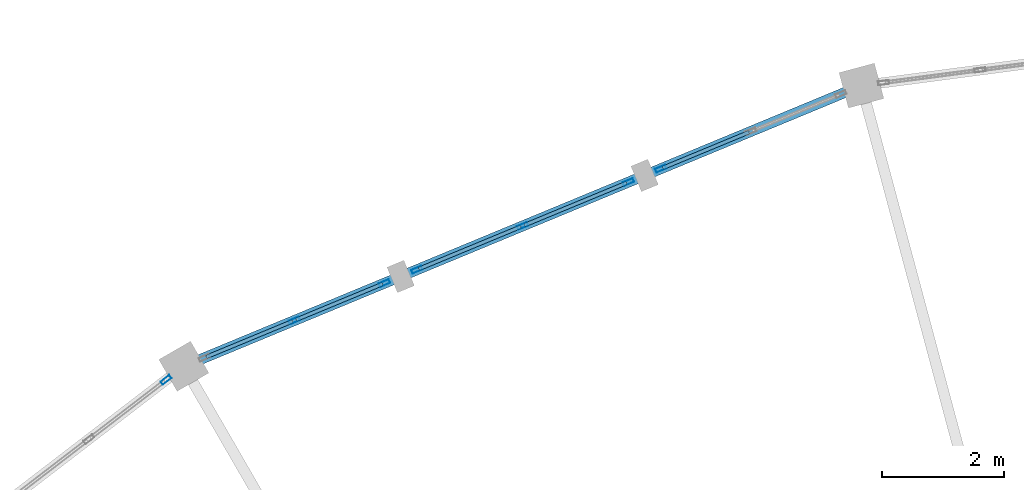
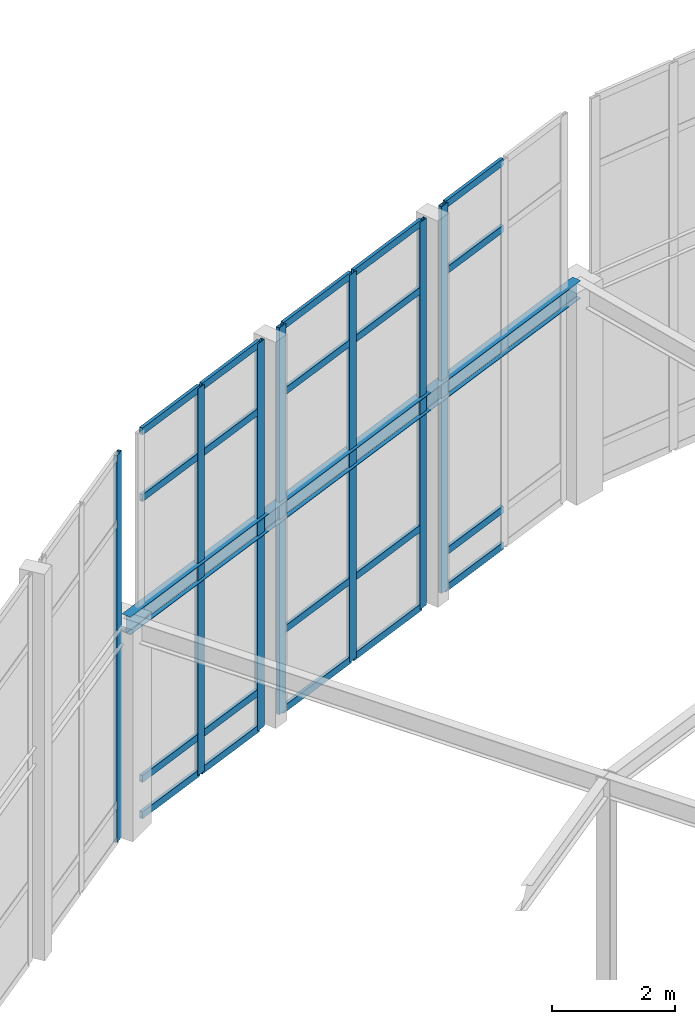
# One storey, part 47 of 93: 27 members, 1 beam, 4 elements without a shape of their own.
"""IFC4 building model written with IfcOpenShell, lengths in metres."""

from ifc_helpers import new_model, si_unit, direction, frame, origin, origin_2d, place, context, subcontext, project, spatial, hollow_rectangle, i_section, extrude, material, material_profile, profile_set, type_object, element, aggregate, save


model = new_model("IFC4")

# Units and contexts
model_context = context("Model", 3, precision=1e-05, world=origin(), true_north=direction((0.0, 1.0)))
body_context = subcontext(model_context, "Body", "Model", "MODEL_VIEW")
ifc_project = project(units=[si_unit("LENGTHUNIT", "METRE"), si_unit("AREAUNIT", "SQUARE_METRE"), si_unit("VOLUMEUNIT", "CUBIC_METRE"), si_unit("PLANEANGLEUNIT", "RADIAN"), si_unit("MASSUNIT", "GRAM", prefix="KILO")], contexts=[model_context])

# Site, building, storey
site_placement = place(None, origin())
site = spatial("IfcSite", under=ifc_project, at=site_placement, CompositionType="ELEMENT")
building_placement = place(site_placement, origin())
building = spatial("IfcBuilding", under=site, at=building_placement, Name="Vondelvale Polytechnic", CompositionType="ELEMENT")
storey_placement = place(building_placement, frame((0.0, 0.0, 18.0)))
storey = spatial("IfcBuildingStorey", under=building, at=storey_placement, Name="L04", CompositionType="ELEMENT", Elevation=18.0)

# Beam
ifc_material_1 = material(Name="Steel 300PLUS (fy = 300 MPa)", Category="steel")
ifc_material_profile_1 = material_profile(ifc_material_1, i_section(OverallWidth=0.1708984375, OverallDepth=0.35205078125, WebThickness=0.0068359375, FlangeThickness=0.009765625, FilletRadius=0.011474609375, at=origin_2d()), Name="360UB44.7")
ifc_profile_set_1 = profile_set([ifc_material_profile_1], Name="Steel 300PLUS (fy = 300 MPa)")
beam_type = type_object("IfcBeamType", Name="BM-UB360L", PredefinedType="BEAM", material=ifc_profile_set_1)
beam_placement = place(storey_placement, frame((90.09423828125, 116.4326171875, 4.02392578125), z_axis=(-0.923877323614, -0.382688765072, 0.0), x_axis=(0.382688765072, -0.923877323614, 0.0)))
element("IfcBeam", 1, at=beam_placement, inside=storey, type_object=beam_type, Name="L04 RE B-24", PredefinedType="BEAM", context=body_context, shape_type="SweptSolid", body=[
    extrude(i_section(OverallWidth=0.1708984375, OverallDepth=0.35205078125, WebThickness=0.0068359375, FlangeThickness=0.009765625, FilletRadius=0.011474609375, at=origin_2d()), origin(), (0.0, 0.0, 1.0), 12.00830078125),
])

# Curtain wall, member
ifc_material_2 = material(Name="Glulam GL18 structural Tasmanian oak (fb = 42 MPa)", Category="wood")
curtain_wall_type = type_object("IfcCurtainWallType", Name="CW-RING-OUTER", PredefinedType="NOTDEFINED", material=ifc_material_2)
curtain_wall_1_placement = place(storey_placement, origin())
curtain_wall_1 = element("IfcCurtainWall", 2, at=curtain_wall_1_placement, inside=storey, type_object=curtain_wall_type, Name="L04 architectural curtain wall CW-04-188", PredefinedType="NOTDEFINED")
ifc_material_3 = material(Name="Anodised extruded aluminium 6063-T6", Category="aluminium")
ifc_material_profile_2 = material_profile(ifc_material_3, hollow_rectangle(XDim=0.06494140625, YDim=0.179931640625, WallThickness=0.00390625, at=origin_2d()), Name="CW-MUL-180x65")
ifc_profile_set_2 = profile_set([ifc_material_profile_2], Name="Anodised extruded aluminium 6063-T6")
member_type_1 = type_object("IfcMemberType", Name="CW-MUL-65x180", PredefinedType="MULLION", material=ifc_profile_set_2)
member_1_placement = place(storey_placement, frame((86.809814453125, 115.072021484375, 0.0), z_axis=(0.0, 0.0, 1.0), x_axis=(0.382677394529, -0.923882033442, 0.0)))
member_1 = element("IfcMember", 3, at=member_1_placement, type_object=member_type_1, Name="CW-04-188 mullion 3", PredefinedType="MULLION", context=body_context, shape_type="SweptSolid", body=[
    extrude(hollow_rectangle(XDim=0.06494140625, YDim=0.179931640625, WallThickness=0.00390625, at=origin_2d()), origin(), (0.0, 0.0, 1.0), 7.661376953125),
])

# Curtain wall, members
curtain_wall_2_placement = place(storey_placement, origin())
curtain_wall_2 = element("IfcCurtainWall", 4, at=curtain_wall_2_placement, inside=storey, type_object=curtain_wall_type, Name="L04 architectural curtain wall CW-04-189", PredefinedType="NOTDEFINED")
member_2_placement = place(storey_placement, frame((86.278564453125, 114.85205078125, 0.0), z_axis=(0.0, 0.0, 1.0), x_axis=(0.382694599123, -0.92387490701, 0.0)))
member_2 = element("IfcMember", 5, at=member_2_placement, type_object=member_type_1, Name="CW-04-189 mullion 1", PredefinedType="MULLION", context=body_context, shape_type="SweptSolid", body=[
    extrude(hollow_rectangle(XDim=0.06494140625, YDim=0.179931640625, WallThickness=0.00390625, at=origin_2d()), origin(), (0.0, 0.0, 1.0), 7.661376953125),
])
member_3_placement = place(storey_placement, frame((84.547119140625, 114.135009765625, 0.0), z_axis=(0.0, 0.0, 1.0), x_axis=(0.382694599123, -0.92387490701, 0.0)))
member_3 = element("IfcMember", 6, at=member_3_placement, type_object=member_type_1, Name="CW-04-189 mullion 2", PredefinedType="MULLION", context=body_context, shape_type="SweptSolid", body=[
    extrude(hollow_rectangle(XDim=0.06494140625, YDim=0.179931640625, WallThickness=0.00390625, at=origin_2d()), origin(), (0.0, 0.0, 1.0), 7.661376953125),
])
member_4_placement = place(storey_placement, frame((82.81591796875, 113.417724609375, 0.0), z_axis=(0.0, 0.0, 1.0), x_axis=(0.382694599123, -0.92387490701, 0.0)))
member_4 = element("IfcMember", 7, at=member_4_placement, type_object=member_type_1, Name="CW-04-189 mullion 3", PredefinedType="MULLION", context=body_context, shape_type="SweptSolid", body=[
    extrude(hollow_rectangle(XDim=0.06494140625, YDim=0.179931640625, WallThickness=0.00390625, at=origin_2d()), origin(), (0.0, 0.0, 1.0), 7.661376953125),
])

curtain_wall_3_placement = place(storey_placement, origin())
curtain_wall_3 = element("IfcCurtainWall", 8, at=curtain_wall_3_placement, inside=storey, type_object=curtain_wall_type, Name="L04 architectural curtain wall CW-04-190", PredefinedType="NOTDEFINED")
member_5_placement = place(storey_placement, frame((82.28466796875, 113.19775390625, 0.0), z_axis=(0.0, 0.0, 1.0), x_axis=(0.382677394529, -0.923882033442, 0.0)))
member_5 = element("IfcMember", 9, at=member_5_placement, type_object=member_type_1, Name="CW-04-190 mullion 1", PredefinedType="MULLION", context=body_context, shape_type="SweptSolid", body=[
    extrude(hollow_rectangle(XDim=0.06494140625, YDim=0.179931640625, WallThickness=0.00390625, at=origin_2d()), origin(), (0.0, 0.0, 1.0), 7.661376953125),
])
member_6_placement = place(storey_placement, frame((80.81103515625, 112.58740234375, 0.0), z_axis=(0.0, 0.0, 1.0), x_axis=(0.382677394529, -0.923882033442, 0.0)))
member_6 = element("IfcMember", 10, at=member_6_placement, type_object=member_type_1, Name="CW-04-190 mullion 2", PredefinedType="MULLION", context=body_context, shape_type="SweptSolid", body=[
    extrude(hollow_rectangle(XDim=0.06494140625, YDim=0.179931640625, WallThickness=0.00390625, at=origin_2d()), origin(), (0.0, 0.0, 1.0), 7.661376953125),
])

# Curtain wall, member
curtain_wall_4_placement = place(storey_placement, origin())
curtain_wall_4 = element("IfcCurtainWall", 11, at=curtain_wall_4_placement, inside=storey, type_object=curtain_wall_type, Name="L04 architectural curtain wall CW-04-207", PredefinedType="NOTDEFINED")
member_7_placement = place(storey_placement, frame((78.710205078125, 111.614990234375, 0.0), z_axis=(0.0, 0.0, 1.0), x_axis=(0.608786860133, -0.793333825656, 0.0)))
member_7 = element("IfcMember", 12, at=member_7_placement, type_object=member_type_1, Name="CW-04-207 mullion 1", PredefinedType="MULLION", context=body_context, shape_type="SweptSolid", body=[
    extrude(hollow_rectangle(XDim=0.06494140625, YDim=0.179931640625, WallThickness=0.00390625, at=origin_2d()), origin(), (0.0, 0.0, 1.0), 7.661376953125),
])
aggregate(curtain_wall_4, [member_7])

# Member
ifc_material_profile_3 = material_profile(ifc_material_3, hollow_rectangle(XDim=0.06005859375, YDim=0.139892578125, WallThickness=0.00341796875, at=origin_2d()), Name="CW-TRN-140x60")
ifc_profile_set_3 = profile_set([ifc_material_profile_3], Name="Anodised extruded aluminium 6063-T6")
member_type_2 = type_object("IfcMemberType", Name="CW-TRN-60x140", PredefinedType="USERDEFINED", material=ifc_profile_set_3)
member_8_placement = place(storey_placement, frame((88.253173828125, 115.670166015625, 0.030029296875), z_axis=(-0.923816459452, -0.382835668721, 0.0), x_axis=(0.382835668721, -0.923816459452, 0.0)))
member_8 = element("IfcMember", 13, at=member_8_placement, type_object=member_type_2, Name="CW-04-188 transom 2.1", ObjectType="TRANSOM", PredefinedType="USERDEFINED", context=body_context, shape_type="SweptSolid", body=[
    extrude(hollow_rectangle(XDim=0.06005859375, YDim=0.139892578125, WallThickness=0.00341796875, at=origin_2d()), origin(), (0.0, 0.0, 1.0), 1.52978515625),
])

member_9_placement = place(storey_placement, frame((88.253173828125, 115.670166015625, 0.75), z_axis=(-0.923816459452, -0.382835668721, 0.0), x_axis=(0.382835668721, -0.923816459452, 0.0)))
member_9 = element("IfcMember", 14, at=member_9_placement, type_object=member_type_2, Name="CW-04-188 transom 2.2", ObjectType="TRANSOM", PredefinedType="USERDEFINED", context=body_context, shape_type="SweptSolid", body=[
    extrude(hollow_rectangle(XDim=0.06005859375, YDim=0.139892578125, WallThickness=0.00341796875, at=origin_2d()), origin(), (0.0, 0.0, 1.0), 1.52978515625),
])

member_10_placement = place(storey_placement, frame((88.253173828125, 115.670166015625, 6.311279296875), z_axis=(-0.923816459452, -0.382835668721, 0.0), x_axis=(0.382835668721, -0.923816459452, 0.0)))
member_10 = element("IfcMember", 15, at=member_10_placement, type_object=member_type_2, Name="CW-04-188 transom 2.3", ObjectType="TRANSOM", PredefinedType="USERDEFINED", context=body_context, shape_type="SweptSolid", body=[
    extrude(hollow_rectangle(XDim=0.06005859375, YDim=0.139892578125, WallThickness=0.00341796875, at=origin_2d()), origin(), (0.0, 0.0, 1.0), 1.52978515625),
])

member_11_placement = place(storey_placement, frame((88.253173828125, 115.670166015625, 7.63134765625), z_axis=(-0.923816459452, -0.382835668721, 0.0), x_axis=(0.382835668721, -0.923816459452, 0.0)))
member_11 = element("IfcMember", 16, at=member_11_placement, type_object=member_type_2, Name="CW-04-188 transom 2.4", ObjectType="TRANSOM", PredefinedType="USERDEFINED", context=body_context, shape_type="SweptSolid", body=[
    extrude(hollow_rectangle(XDim=0.06005859375, YDim=0.139892578125, WallThickness=0.00341796875, at=origin_2d()), origin(), (0.0, 0.0, 1.0), 1.52978515625),
])

aggregate(curtain_wall_1, [member_1, member_8, member_9, member_10, member_11])

member_12_placement = place(storey_placement, frame((86.24853515625, 114.839599609375, 0.030029296875), z_axis=(-0.923865506878, -0.382717291485, 0.0), x_axis=(0.382717291485, -0.923865506878, 0.0)))
member_12 = element("IfcMember", 17, at=member_12_placement, type_object=member_type_2, Name="CW-04-189 transom 1.1", ObjectType="TRANSOM", PredefinedType="USERDEFINED", context=body_context, shape_type="SweptSolid", body=[
    extrude(hollow_rectangle(XDim=0.06005859375, YDim=0.139892578125, WallThickness=0.00341796875, at=origin_2d()), origin(), (0.0, 0.0, 1.0), 1.80908203125),
])

member_13_placement = place(storey_placement, frame((86.24853515625, 114.839599609375, 1.60009765625), z_axis=(-0.923865506878, -0.382717291485, 0.0), x_axis=(0.382717291485, -0.923865506878, 0.0)))
member_13 = element("IfcMember", 18, at=member_13_placement, type_object=member_type_2, Name="CW-04-189 transom 1.2", ObjectType="TRANSOM", PredefinedType="USERDEFINED", context=body_context, shape_type="SweptSolid", body=[
    extrude(hollow_rectangle(XDim=0.06005859375, YDim=0.139892578125, WallThickness=0.00341796875, at=origin_2d()), origin(), (0.0, 0.0, 1.0), 1.80908203125),
])

member_14_placement = place(storey_placement, frame((86.24853515625, 114.839599609375, 6.311279296875), z_axis=(-0.923865506878, -0.382717291485, 0.0), x_axis=(0.382717291485, -0.923865506878, 0.0)))
member_14 = element("IfcMember", 19, at=member_14_placement, type_object=member_type_2, Name="CW-04-189 transom 1.3", ObjectType="TRANSOM", PredefinedType="USERDEFINED", context=body_context, shape_type="SweptSolid", body=[
    extrude(hollow_rectangle(XDim=0.06005859375, YDim=0.139892578125, WallThickness=0.00341796875, at=origin_2d()), origin(), (0.0, 0.0, 1.0), 1.80908203125),
])

member_15_placement = place(storey_placement, frame((86.24853515625, 114.839599609375, 7.63134765625), z_axis=(-0.923865506878, -0.382717291485, 0.0), x_axis=(0.382717291485, -0.923865506878, 0.0)))
member_15 = element("IfcMember", 20, at=member_15_placement, type_object=member_type_2, Name="CW-04-189 transom 1.4", ObjectType="TRANSOM", PredefinedType="USERDEFINED", context=body_context, shape_type="SweptSolid", body=[
    extrude(hollow_rectangle(XDim=0.06005859375, YDim=0.139892578125, WallThickness=0.00341796875, at=origin_2d()), origin(), (0.0, 0.0, 1.0), 1.80908203125),
])

member_16_placement = place(storey_placement, frame((84.51708984375, 114.12255859375, 0.030029296875), z_axis=(-0.92384573676, -0.382765012338, 0.0), x_axis=(0.382765012338, -0.92384573676, 0.0)))
member_16 = element("IfcMember", 21, at=member_16_placement, type_object=member_type_2, Name="CW-04-189 transom 2.1", ObjectType="TRANSOM", PredefinedType="USERDEFINED", context=body_context, shape_type="SweptSolid", body=[
    extrude(hollow_rectangle(XDim=0.06005859375, YDim=0.139892578125, WallThickness=0.00341796875, at=origin_2d()), origin(), (0.0, 0.0, 1.0), 1.808837890625),
])

member_17_placement = place(storey_placement, frame((84.51708984375, 114.12255859375, 1.60009765625), z_axis=(-0.92384573676, -0.382765012338, 0.0), x_axis=(0.382765012338, -0.92384573676, 0.0)))
member_17 = element("IfcMember", 22, at=member_17_placement, type_object=member_type_2, Name="CW-04-189 transom 2.2", ObjectType="TRANSOM", PredefinedType="USERDEFINED", context=body_context, shape_type="SweptSolid", body=[
    extrude(hollow_rectangle(XDim=0.06005859375, YDim=0.139892578125, WallThickness=0.00341796875, at=origin_2d()), origin(), (0.0, 0.0, 1.0), 1.808837890625),
])

member_18_placement = place(storey_placement, frame((84.51708984375, 114.12255859375, 6.311279296875), z_axis=(-0.92384573676, -0.382765012338, 0.0), x_axis=(0.382765012338, -0.92384573676, 0.0)))
member_18 = element("IfcMember", 23, at=member_18_placement, type_object=member_type_2, Name="CW-04-189 transom 2.3", ObjectType="TRANSOM", PredefinedType="USERDEFINED", context=body_context, shape_type="SweptSolid", body=[
    extrude(hollow_rectangle(XDim=0.06005859375, YDim=0.139892578125, WallThickness=0.00341796875, at=origin_2d()), origin(), (0.0, 0.0, 1.0), 1.808837890625),
])

member_19_placement = place(storey_placement, frame((84.51708984375, 114.12255859375, 7.63134765625), z_axis=(-0.92384573676, -0.382765012338, 0.0), x_axis=(0.382765012338, -0.92384573676, 0.0)))
member_19 = element("IfcMember", 24, at=member_19_placement, type_object=member_type_2, Name="CW-04-189 transom 2.4", ObjectType="TRANSOM", PredefinedType="USERDEFINED", context=body_context, shape_type="SweptSolid", body=[
    extrude(hollow_rectangle(XDim=0.06005859375, YDim=0.139892578125, WallThickness=0.00341796875, at=origin_2d()), origin(), (0.0, 0.0, 1.0), 1.808837890625),
])

aggregate(curtain_wall_2, [member_2, member_3, member_4, member_12, member_13, member_14, member_15, member_16, member_17, member_18, member_19])

member_20_placement = place(storey_placement, frame((82.254638671875, 113.185302734375, 0.030029296875), z_axis=(-0.923896260346, -0.382643045304, 0.0), x_axis=(0.382643045304, -0.923896260346, 0.0)))
member_20 = element("IfcMember", 25, at=member_20_placement, type_object=member_type_2, Name="CW-04-190 transom 1.1", ObjectType="TRANSOM", PredefinedType="USERDEFINED", context=body_context, shape_type="SweptSolid", body=[
    extrude(hollow_rectangle(XDim=0.06005859375, YDim=0.139892578125, WallThickness=0.00341796875, at=origin_2d()), origin(), (0.0, 0.0, 1.0), 1.530029296875),
])

member_21_placement = place(storey_placement, frame((82.254638671875, 113.185302734375, 0.75), z_axis=(-0.923896260346, -0.382643045304, 0.0), x_axis=(0.382643045304, -0.923896260346, 0.0)))
member_21 = element("IfcMember", 26, at=member_21_placement, type_object=member_type_2, Name="CW-04-190 transom 1.2", ObjectType="TRANSOM", PredefinedType="USERDEFINED", context=body_context, shape_type="SweptSolid", body=[
    extrude(hollow_rectangle(XDim=0.06005859375, YDim=0.139892578125, WallThickness=0.00341796875, at=origin_2d()), origin(), (0.0, 0.0, 1.0), 1.530029296875),
])

member_22_placement = place(storey_placement, frame((82.254638671875, 113.185302734375, 6.311279296875), z_axis=(-0.923896260346, -0.382643045304, 0.0), x_axis=(0.382643045304, -0.923896260346, 0.0)))
member_22 = element("IfcMember", 27, at=member_22_placement, type_object=member_type_2, Name="CW-04-190 transom 1.3", ObjectType="TRANSOM", PredefinedType="USERDEFINED", context=body_context, shape_type="SweptSolid", body=[
    extrude(hollow_rectangle(XDim=0.06005859375, YDim=0.139892578125, WallThickness=0.00341796875, at=origin_2d()), origin(), (0.0, 0.0, 1.0), 1.530029296875),
])

member_23_placement = place(storey_placement, frame((82.254638671875, 113.185302734375, 7.63134765625), z_axis=(-0.923896260346, -0.382643045304, 0.0), x_axis=(0.382643045304, -0.923896260346, 0.0)))
member_23 = element("IfcMember", 28, at=member_23_placement, type_object=member_type_2, Name="CW-04-190 transom 1.4", ObjectType="TRANSOM", PredefinedType="USERDEFINED", context=body_context, shape_type="SweptSolid", body=[
    extrude(hollow_rectangle(XDim=0.06005859375, YDim=0.139892578125, WallThickness=0.00341796875, at=origin_2d()), origin(), (0.0, 0.0, 1.0), 1.530029296875),
])

member_24_placement = place(storey_placement, frame((80.781005859375, 112.574951171875, 0.030029296875), z_axis=(-0.923839843027, -0.382779237206, 0.0), x_axis=(0.382779237206, -0.923839843027, 0.0)))
member_24 = element("IfcMember", 29, at=member_24_placement, type_object=member_type_2, Name="CW-04-190 transom 2.1", ObjectType="TRANSOM", PredefinedType="USERDEFINED", context=body_context, shape_type="SweptSolid", body=[
    extrude(hollow_rectangle(XDim=0.06005859375, YDim=0.139892578125, WallThickness=0.00341796875, at=origin_2d()), origin(), (0.0, 0.0, 1.0), 1.530029296875),
])

member_25_placement = place(storey_placement, frame((80.781005859375, 112.574951171875, 0.75), z_axis=(-0.923839843027, -0.382779237206, 0.0), x_axis=(0.382779237206, -0.923839843027, 0.0)))
member_25 = element("IfcMember", 30, at=member_25_placement, type_object=member_type_2, Name="CW-04-190 transom 2.2", ObjectType="TRANSOM", PredefinedType="USERDEFINED", context=body_context, shape_type="SweptSolid", body=[
    extrude(hollow_rectangle(XDim=0.06005859375, YDim=0.139892578125, WallThickness=0.00341796875, at=origin_2d()), origin(), (0.0, 0.0, 1.0), 1.530029296875),
])

member_26_placement = place(storey_placement, frame((80.781005859375, 112.574951171875, 6.311279296875), z_axis=(-0.923839843027, -0.382779237206, 0.0), x_axis=(0.382779237206, -0.923839843027, 0.0)))
member_26 = element("IfcMember", 31, at=member_26_placement, type_object=member_type_2, Name="CW-04-190 transom 2.3", ObjectType="TRANSOM", PredefinedType="USERDEFINED", context=body_context, shape_type="SweptSolid", body=[
    extrude(hollow_rectangle(XDim=0.06005859375, YDim=0.139892578125, WallThickness=0.00341796875, at=origin_2d()), origin(), (0.0, 0.0, 1.0), 1.530029296875),
])

member_27_placement = place(storey_placement, frame((80.781005859375, 112.574951171875, 7.63134765625), z_axis=(-0.923839843027, -0.382779237206, 0.0), x_axis=(0.382779237206, -0.923839843027, 0.0)))
member_27 = element("IfcMember", 32, at=member_27_placement, type_object=member_type_2, Name="CW-04-190 transom 2.4", ObjectType="TRANSOM", PredefinedType="USERDEFINED", context=body_context, shape_type="SweptSolid", body=[
    extrude(hollow_rectangle(XDim=0.06005859375, YDim=0.139892578125, WallThickness=0.00341796875, at=origin_2d()), origin(), (0.0, 0.0, 1.0), 1.530029296875),
])

aggregate(curtain_wall_3, [member_5, member_6, member_20, member_21, member_22, member_23, member_24, member_25, member_26, member_27])

save(model, "model.ifc")
